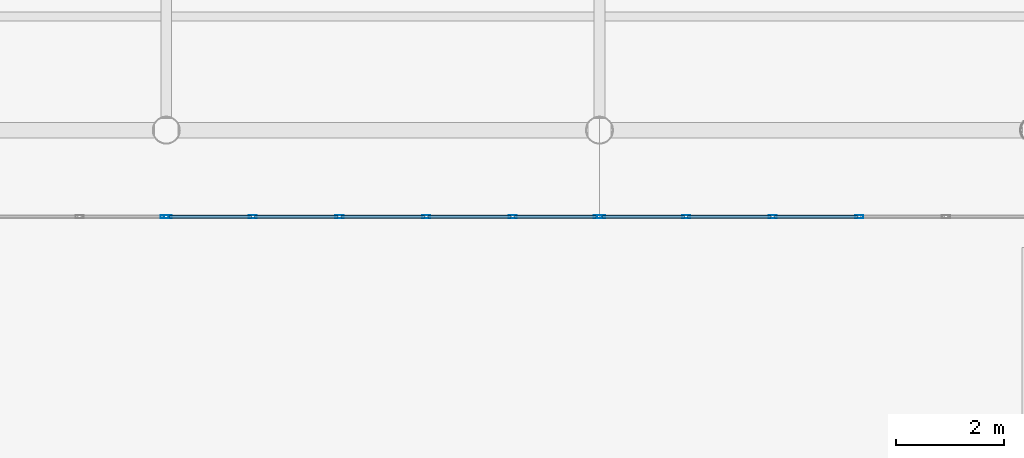
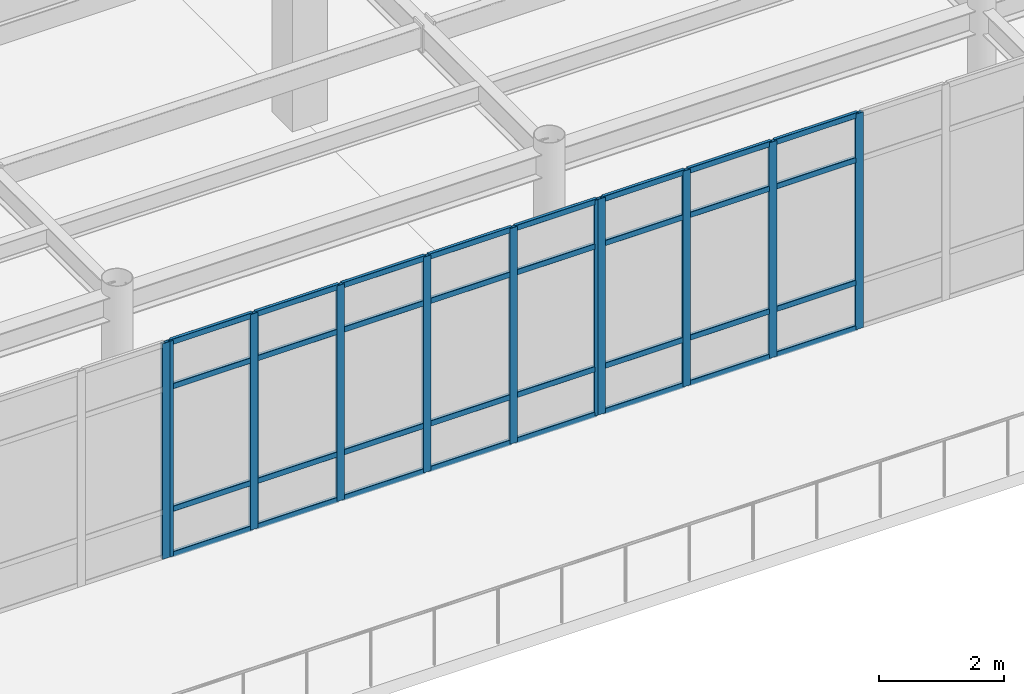
# One storey, part 41 of 93: 43 members, 3 elements without a shape of their own.
"""IFC4 building model written with IfcOpenShell, lengths in metres."""

from ifc_helpers import new_model, si_unit, direction, frame, origin, origin_2d, place, context, subcontext, project, spatial, hollow_rectangle, extrude, material, material_profile, profile_set, type_object, element, aggregate, save


model = new_model("IFC4")

# Units and contexts
model_context = context("Model", 3, precision=1e-05, world=origin(), true_north=direction((0.0, 1.0)))
body_context = subcontext(model_context, "Body", "Model", "MODEL_VIEW")
ifc_project = project(units=[si_unit("LENGTHUNIT", "METRE"), si_unit("AREAUNIT", "SQUARE_METRE"), si_unit("VOLUMEUNIT", "CUBIC_METRE"), si_unit("PLANEANGLEUNIT", "RADIAN"), si_unit("MASSUNIT", "GRAM", prefix="KILO")], contexts=[model_context])

# Site, building, storey
site_placement = place(None, origin())
site = spatial("IfcSite", under=ifc_project, at=site_placement, CompositionType="ELEMENT")
building_placement = place(site_placement, origin())
building = spatial("IfcBuilding", under=site, at=building_placement, Name="Solmirada Galleria", CompositionType="ELEMENT")
storey_placement = place(building_placement, frame((0.0, 0.0, 14.89990234375)))
storey = spatial("IfcBuildingStorey", under=building, at=storey_placement, Name="L03", CompositionType="ELEMENT", Elevation=14.89990234375)

# Curtain wall, members
ifc_material_1 = material(Name="Impact-resistant low-E double glazing", Category="glass")
curtain_wall_type = type_object("IfcCurtainWallType", Name="CW-FZ4-L03-B5-L080", PredefinedType="NOTDEFINED", material=ifc_material_1)
curtain_wall_1_placement = place(storey_placement, origin())
curtain_wall_1 = element("IfcCurtainWall", 1, at=curtain_wall_1_placement, inside=storey, type_object=curtain_wall_type, Name="Terrace and arcade storefront CW-L03-123", PredefinedType="NOTDEFINED")
ifc_material_2 = material(Name="Anodised aluminium framing", Category="aluminium")
ifc_material_profile_1 = material_profile(ifc_material_2, hollow_rectangle(XDim=0.06005859375, YDim=0.14990234375, WallThickness=0.00341796875, InnerFilletRadius=0.00341796875, OuterFilletRadius=0.007080078125, at=origin_2d()), Name="ALU-MULL-150X60")
ifc_profile_set_1 = profile_set([ifc_material_profile_1], Name="Anodised aluminium framing")
member_type_1 = type_object("IfcMemberType", Name="CW-MULL-150", PredefinedType="MULLION", material=ifc_profile_set_1)
member_1_placement = place(storey_placement, frame((84.800048828125, 86.39990234375, 0.0), z_axis=(0.0, 0.0, 1.0), x_axis=(0.0, -1.0, 0.0)))
member_1 = element("IfcMember", 2, at=member_1_placement, type_object=member_type_1, Name="CW28 mullion 3", PredefinedType="MULLION", context=body_context, shape_type="SweptSolid", body=[
    extrude(hollow_rectangle(XDim=0.06005859375, YDim=0.14990234375, WallThickness=0.00341796875, InnerFilletRadius=0.00341796875, OuterFilletRadius=0.007080078125, at=origin_2d()), origin(), (0.0, 0.0, 1.0), 4.22021484375),
])
member_2_placement = place(storey_placement, frame((83.199951171875, 86.39990234375, 0.0), z_axis=(0.0, 0.0, 1.0), x_axis=(0.0, -1.0, 0.0)))
member_2 = element("IfcMember", 3, at=member_2_placement, type_object=member_type_1, Name="CW28 mullion 4", PredefinedType="MULLION", context=body_context, shape_type="SweptSolid", body=[
    extrude(hollow_rectangle(XDim=0.06005859375, YDim=0.14990234375, WallThickness=0.00341796875, InnerFilletRadius=0.00341796875, OuterFilletRadius=0.007080078125, at=origin_2d()), origin(), (0.0, 0.0, 1.0), 4.22021484375),
])
member_3_placement = place(storey_placement, frame((81.60009765625, 86.39990234375, 0.0), z_axis=(0.0, 0.0, 1.0), x_axis=(0.0, -1.0, 0.0)))
member_3 = element("IfcMember", 4, at=member_3_placement, type_object=member_type_1, Name="CW28 mullion 5", PredefinedType="MULLION", context=body_context, shape_type="SweptSolid", body=[
    extrude(hollow_rectangle(XDim=0.06005859375, YDim=0.14990234375, WallThickness=0.00341796875, InnerFilletRadius=0.00341796875, OuterFilletRadius=0.007080078125, at=origin_2d()), origin(), (0.0, 0.0, 1.0), 4.22021484375),
])
member_4_placement = place(storey_placement, frame((80.030029296875, 86.39990234375, 0.0), z_axis=(0.0, 0.0, 1.0), x_axis=(0.0, -1.0, 0.0)))
member_4 = element("IfcMember", 5, at=member_4_placement, type_object=member_type_1, Name="CW28 mullion 6", PredefinedType="MULLION", context=body_context, shape_type="SweptSolid", body=[
    extrude(hollow_rectangle(XDim=0.06005859375, YDim=0.14990234375, WallThickness=0.00341796875, InnerFilletRadius=0.00341796875, OuterFilletRadius=0.007080078125, at=origin_2d()), origin(), (0.0, 0.0, 1.0), 4.22021484375),
])

curtain_wall_2_placement = place(storey_placement, origin())
curtain_wall_2 = element("IfcCurtainWall", 6, at=curtain_wall_2_placement, inside=storey, type_object=curtain_wall_type, Name="Terrace and arcade storefront CW-L03-124", PredefinedType="NOTDEFINED")
member_5_placement = place(storey_placement, frame((79.969970703125, 86.39990234375, 0.0), z_axis=(0.0, 0.0, 1.0), x_axis=(0.0, -1.0, 0.0)))
member_5 = element("IfcMember", 7, at=member_5_placement, type_object=member_type_1, Name="CW28 mullion 1", PredefinedType="MULLION", context=body_context, shape_type="SweptSolid", body=[
    extrude(hollow_rectangle(XDim=0.06005859375, YDim=0.14990234375, WallThickness=0.00341796875, InnerFilletRadius=0.00341796875, OuterFilletRadius=0.007080078125, at=origin_2d()), origin(), (0.0, 0.0, 1.0), 4.22021484375),
])
member_6_placement = place(storey_placement, frame((78.39990234375, 86.39990234375, 0.0), z_axis=(0.0, 0.0, 1.0), x_axis=(0.0, -1.0, 0.0)))
member_6 = element("IfcMember", 8, at=member_6_placement, type_object=member_type_1, Name="CW28 mullion 2", PredefinedType="MULLION", context=body_context, shape_type="SweptSolid", body=[
    extrude(hollow_rectangle(XDim=0.06005859375, YDim=0.14990234375, WallThickness=0.00341796875, InnerFilletRadius=0.00341796875, OuterFilletRadius=0.007080078125, at=origin_2d()), origin(), (0.0, 0.0, 1.0), 4.22021484375),
])
member_7_placement = place(storey_placement, frame((76.800048828125, 86.39990234375, 0.0), z_axis=(0.0, 0.0, 1.0), x_axis=(0.0, -1.0, 0.0)))
member_7 = element("IfcMember", 9, at=member_7_placement, type_object=member_type_1, Name="CW28 mullion 3", PredefinedType="MULLION", context=body_context, shape_type="SweptSolid", body=[
    extrude(hollow_rectangle(XDim=0.06005859375, YDim=0.14990234375, WallThickness=0.00341796875, InnerFilletRadius=0.00341796875, OuterFilletRadius=0.007080078125, at=origin_2d()), origin(), (0.0, 0.0, 1.0), 4.22021484375),
])
member_8_placement = place(storey_placement, frame((75.199951171875, 86.39990234375, 0.0), z_axis=(0.0, 0.0, 1.0), x_axis=(0.0, -1.0, 0.0)))
member_8 = element("IfcMember", 10, at=member_8_placement, type_object=member_type_1, Name="CW28 mullion 4", PredefinedType="MULLION", context=body_context, shape_type="SweptSolid", body=[
    extrude(hollow_rectangle(XDim=0.06005859375, YDim=0.14990234375, WallThickness=0.00341796875, InnerFilletRadius=0.00341796875, OuterFilletRadius=0.007080078125, at=origin_2d()), origin(), (0.0, 0.0, 1.0), 4.22021484375),
])
member_9_placement = place(storey_placement, frame((73.60009765625, 86.39990234375, 0.0), z_axis=(0.0, 0.0, 1.0), x_axis=(0.0, -1.0, 0.0)))
member_9 = element("IfcMember", 11, at=member_9_placement, type_object=member_type_1, Name="CW28 mullion 5", PredefinedType="MULLION", context=body_context, shape_type="SweptSolid", body=[
    extrude(hollow_rectangle(XDim=0.06005859375, YDim=0.14990234375, WallThickness=0.00341796875, InnerFilletRadius=0.00341796875, OuterFilletRadius=0.007080078125, at=origin_2d()), origin(), (0.0, 0.0, 1.0), 4.22021484375),
])
member_10_placement = place(storey_placement, frame((72.030029296875, 86.39990234375, 0.0), z_axis=(0.0, 0.0, 1.0), x_axis=(0.0, -1.0, 0.0)))
member_10 = element("IfcMember", 12, at=member_10_placement, type_object=member_type_1, Name="CW28 mullion 6", PredefinedType="MULLION", context=body_context, shape_type="SweptSolid", body=[
    extrude(hollow_rectangle(XDim=0.06005859375, YDim=0.14990234375, WallThickness=0.00341796875, InnerFilletRadius=0.00341796875, OuterFilletRadius=0.007080078125, at=origin_2d()), origin(), (0.0, 0.0, 1.0), 4.22021484375),
])

# Curtain wall, member
curtain_wall_3_placement = place(storey_placement, origin())
curtain_wall_3 = element("IfcCurtainWall", 13, at=curtain_wall_3_placement, inside=storey, type_object=curtain_wall_type, Name="Terrace and arcade storefront CW-L03-125", PredefinedType="NOTDEFINED")
member_11_placement = place(storey_placement, frame((71.969970703125, 86.39990234375, 0.0), z_axis=(0.0, 0.0, 1.0), x_axis=(0.0, -1.0, 0.0)))
member_11 = element("IfcMember", 14, at=member_11_placement, type_object=member_type_1, Name="CW28 mullion 1", PredefinedType="MULLION", context=body_context, shape_type="SweptSolid", body=[
    extrude(hollow_rectangle(XDim=0.06005859375, YDim=0.14990234375, WallThickness=0.00341796875, InnerFilletRadius=0.00341796875, OuterFilletRadius=0.007080078125, at=origin_2d()), origin(), (0.0, 0.0, 1.0), 4.22021484375),
])
aggregate(curtain_wall_3, [member_11])

# Member
ifc_material_profile_2 = material_profile(ifc_material_2, hollow_rectangle(XDim=0.06005859375, YDim=0.110107421875, WallThickness=0.003173828125, InnerFilletRadius=0.003173828125, OuterFilletRadius=0.00634765625, at=origin_2d()), Name="ALU-TRAN-110X60")
ifc_profile_set_2 = profile_set([ifc_material_profile_2], Name="Anodised aluminium framing")
member_type_2 = type_object("IfcMemberType", Name="CW-TRAN-110", PredefinedType="USERDEFINED", material=ifc_profile_set_2)
member_12_placement = place(storey_placement, frame((84.77001953125, 86.39990234375, 0.030029296875), z_axis=(-1.0, 0.0, 0.0), x_axis=(0.0, -1.0, 0.0)))
member_12 = element("IfcMember", 15, at=member_12_placement, type_object=member_type_2, Name="CW28 transom 3.1", ObjectType="TRANSOM", PredefinedType="USERDEFINED", context=body_context, shape_type="SweptSolid", body=[
    extrude(hollow_rectangle(XDim=0.06005859375, YDim=0.110107421875, WallThickness=0.003173828125, InnerFilletRadius=0.003173828125, OuterFilletRadius=0.00634765625, at=origin_2d()), origin(), (0.0, 0.0, 1.0), 1.5400390625),
])

member_13_placement = place(storey_placement, frame((84.77001953125, 86.39990234375, 0.920166015625), z_axis=(-1.0, 0.0, 0.0), x_axis=(0.0, -1.0, 0.0)))
member_13 = element("IfcMember", 16, at=member_13_placement, type_object=member_type_2, Name="CW28 transom 3.2", ObjectType="TRANSOM", PredefinedType="USERDEFINED", context=body_context, shape_type="SweptSolid", body=[
    extrude(hollow_rectangle(XDim=0.06005859375, YDim=0.110107421875, WallThickness=0.003173828125, InnerFilletRadius=0.003173828125, OuterFilletRadius=0.00634765625, at=origin_2d()), origin(), (0.0, 0.0, 1.0), 1.5400390625),
])

member_14_placement = place(storey_placement, frame((84.77001953125, 86.39990234375, 3.320068359375), z_axis=(-1.0, 0.0, 0.0), x_axis=(0.0, -1.0, 0.0)))
member_14 = element("IfcMember", 17, at=member_14_placement, type_object=member_type_2, Name="CW28 transom 3.3", ObjectType="TRANSOM", PredefinedType="USERDEFINED", context=body_context, shape_type="SweptSolid", body=[
    extrude(hollow_rectangle(XDim=0.06005859375, YDim=0.110107421875, WallThickness=0.003173828125, InnerFilletRadius=0.003173828125, OuterFilletRadius=0.00634765625, at=origin_2d()), origin(), (0.0, 0.0, 1.0), 1.5400390625),
])

member_15_placement = place(storey_placement, frame((84.77001953125, 86.39990234375, 4.190185546875), z_axis=(-1.0, 0.0, 0.0), x_axis=(0.0, -1.0, 0.0)))
member_15 = element("IfcMember", 18, at=member_15_placement, type_object=member_type_2, Name="CW28 transom 3.4", ObjectType="TRANSOM", PredefinedType="USERDEFINED", context=body_context, shape_type="SweptSolid", body=[
    extrude(hollow_rectangle(XDim=0.06005859375, YDim=0.110107421875, WallThickness=0.003173828125, InnerFilletRadius=0.003173828125, OuterFilletRadius=0.00634765625, at=origin_2d()), origin(), (0.0, 0.0, 1.0), 1.5400390625),
])

member_16_placement = place(storey_placement, frame((83.169921875, 86.39990234375, 0.030029296875), z_axis=(-1.0, 0.0, 0.0), x_axis=(0.0, -1.0, 0.0)))
member_16 = element("IfcMember", 19, at=member_16_placement, type_object=member_type_2, Name="CW28 transom 4.1", ObjectType="TRANSOM", PredefinedType="USERDEFINED", context=body_context, shape_type="SweptSolid", body=[
    extrude(hollow_rectangle(XDim=0.06005859375, YDim=0.110107421875, WallThickness=0.003173828125, InnerFilletRadius=0.003173828125, OuterFilletRadius=0.00634765625, at=origin_2d()), origin(), (0.0, 0.0, 1.0), 1.5400390625),
])

member_17_placement = place(storey_placement, frame((83.169921875, 86.39990234375, 0.920166015625), z_axis=(-1.0, 0.0, 0.0), x_axis=(0.0, -1.0, 0.0)))
member_17 = element("IfcMember", 20, at=member_17_placement, type_object=member_type_2, Name="CW28 transom 4.2", ObjectType="TRANSOM", PredefinedType="USERDEFINED", context=body_context, shape_type="SweptSolid", body=[
    extrude(hollow_rectangle(XDim=0.06005859375, YDim=0.110107421875, WallThickness=0.003173828125, InnerFilletRadius=0.003173828125, OuterFilletRadius=0.00634765625, at=origin_2d()), origin(), (0.0, 0.0, 1.0), 1.5400390625),
])

member_18_placement = place(storey_placement, frame((83.169921875, 86.39990234375, 3.320068359375), z_axis=(-1.0, 0.0, 0.0), x_axis=(0.0, -1.0, 0.0)))
member_18 = element("IfcMember", 21, at=member_18_placement, type_object=member_type_2, Name="CW28 transom 4.3", ObjectType="TRANSOM", PredefinedType="USERDEFINED", context=body_context, shape_type="SweptSolid", body=[
    extrude(hollow_rectangle(XDim=0.06005859375, YDim=0.110107421875, WallThickness=0.003173828125, InnerFilletRadius=0.003173828125, OuterFilletRadius=0.00634765625, at=origin_2d()), origin(), (0.0, 0.0, 1.0), 1.5400390625),
])

member_19_placement = place(storey_placement, frame((83.169921875, 86.39990234375, 4.190185546875), z_axis=(-1.0, 0.0, 0.0), x_axis=(0.0, -1.0, 0.0)))
member_19 = element("IfcMember", 22, at=member_19_placement, type_object=member_type_2, Name="CW28 transom 4.4", ObjectType="TRANSOM", PredefinedType="USERDEFINED", context=body_context, shape_type="SweptSolid", body=[
    extrude(hollow_rectangle(XDim=0.06005859375, YDim=0.110107421875, WallThickness=0.003173828125, InnerFilletRadius=0.003173828125, OuterFilletRadius=0.00634765625, at=origin_2d()), origin(), (0.0, 0.0, 1.0), 1.5400390625),
])

member_20_placement = place(storey_placement, frame((81.570068359375, 86.39990234375, 0.030029296875), z_axis=(-1.0, 0.0, 0.0), x_axis=(0.0, -1.0, 0.0)))
member_20 = element("IfcMember", 23, at=member_20_placement, type_object=member_type_2, Name="CW28 transom 5.1", ObjectType="TRANSOM", PredefinedType="USERDEFINED", context=body_context, shape_type="SweptSolid", body=[
    extrude(hollow_rectangle(XDim=0.06005859375, YDim=0.110107421875, WallThickness=0.003173828125, InnerFilletRadius=0.003173828125, OuterFilletRadius=0.00634765625, at=origin_2d()), origin(), (0.0, 0.0, 1.0), 1.510009765625),
])

member_21_placement = place(storey_placement, frame((81.570068359375, 86.39990234375, 0.920166015625), z_axis=(-1.0, 0.0, 0.0), x_axis=(0.0, -1.0, 0.0)))
member_21 = element("IfcMember", 24, at=member_21_placement, type_object=member_type_2, Name="CW28 transom 5.2", ObjectType="TRANSOM", PredefinedType="USERDEFINED", context=body_context, shape_type="SweptSolid", body=[
    extrude(hollow_rectangle(XDim=0.06005859375, YDim=0.110107421875, WallThickness=0.003173828125, InnerFilletRadius=0.003173828125, OuterFilletRadius=0.00634765625, at=origin_2d()), origin(), (0.0, 0.0, 1.0), 1.510009765625),
])

member_22_placement = place(storey_placement, frame((81.570068359375, 86.39990234375, 3.320068359375), z_axis=(-1.0, 0.0, 0.0), x_axis=(0.0, -1.0, 0.0)))
member_22 = element("IfcMember", 25, at=member_22_placement, type_object=member_type_2, Name="CW28 transom 5.3", ObjectType="TRANSOM", PredefinedType="USERDEFINED", context=body_context, shape_type="SweptSolid", body=[
    extrude(hollow_rectangle(XDim=0.06005859375, YDim=0.110107421875, WallThickness=0.003173828125, InnerFilletRadius=0.003173828125, OuterFilletRadius=0.00634765625, at=origin_2d()), origin(), (0.0, 0.0, 1.0), 1.510009765625),
])

member_23_placement = place(storey_placement, frame((81.570068359375, 86.39990234375, 4.190185546875), z_axis=(-1.0, 0.0, 0.0), x_axis=(0.0, -1.0, 0.0)))
member_23 = element("IfcMember", 26, at=member_23_placement, type_object=member_type_2, Name="CW28 transom 5.4", ObjectType="TRANSOM", PredefinedType="USERDEFINED", context=body_context, shape_type="SweptSolid", body=[
    extrude(hollow_rectangle(XDim=0.06005859375, YDim=0.110107421875, WallThickness=0.003173828125, InnerFilletRadius=0.003173828125, OuterFilletRadius=0.00634765625, at=origin_2d()), origin(), (0.0, 0.0, 1.0), 1.510009765625),
])

aggregate(curtain_wall_1, [member_1, member_2, member_3, member_4, member_12, member_13, member_14, member_15, member_16, member_17, member_18, member_19, member_20, member_21, member_22, member_23])

member_24_placement = place(storey_placement, frame((79.93994140625, 86.39990234375, 0.030029296875), z_axis=(-1.0, 0.0, 0.0), x_axis=(0.0, -1.0, 0.0)))
member_24 = element("IfcMember", 27, at=member_24_placement, type_object=member_type_2, Name="CW28 transom 1.1", ObjectType="TRANSOM", PredefinedType="USERDEFINED", context=body_context, shape_type="SweptSolid", body=[
    extrude(hollow_rectangle(XDim=0.06005859375, YDim=0.110107421875, WallThickness=0.003173828125, InnerFilletRadius=0.003173828125, OuterFilletRadius=0.00634765625, at=origin_2d()), origin(), (0.0, 0.0, 1.0), 1.510009765625),
])

member_25_placement = place(storey_placement, frame((79.93994140625, 86.39990234375, 0.920166015625), z_axis=(-1.0, 0.0, 0.0), x_axis=(0.0, -1.0, 0.0)))
member_25 = element("IfcMember", 28, at=member_25_placement, type_object=member_type_2, Name="CW28 transom 1.2", ObjectType="TRANSOM", PredefinedType="USERDEFINED", context=body_context, shape_type="SweptSolid", body=[
    extrude(hollow_rectangle(XDim=0.06005859375, YDim=0.110107421875, WallThickness=0.003173828125, InnerFilletRadius=0.003173828125, OuterFilletRadius=0.00634765625, at=origin_2d()), origin(), (0.0, 0.0, 1.0), 1.510009765625),
])

member_26_placement = place(storey_placement, frame((79.93994140625, 86.39990234375, 3.320068359375), z_axis=(-1.0, 0.0, 0.0), x_axis=(0.0, -1.0, 0.0)))
member_26 = element("IfcMember", 29, at=member_26_placement, type_object=member_type_2, Name="CW28 transom 1.3", ObjectType="TRANSOM", PredefinedType="USERDEFINED", context=body_context, shape_type="SweptSolid", body=[
    extrude(hollow_rectangle(XDim=0.06005859375, YDim=0.110107421875, WallThickness=0.003173828125, InnerFilletRadius=0.003173828125, OuterFilletRadius=0.00634765625, at=origin_2d()), origin(), (0.0, 0.0, 1.0), 1.510009765625),
])

member_27_placement = place(storey_placement, frame((79.93994140625, 86.39990234375, 4.190185546875), z_axis=(-1.0, 0.0, 0.0), x_axis=(0.0, -1.0, 0.0)))
member_27 = element("IfcMember", 30, at=member_27_placement, type_object=member_type_2, Name="CW28 transom 1.4", ObjectType="TRANSOM", PredefinedType="USERDEFINED", context=body_context, shape_type="SweptSolid", body=[
    extrude(hollow_rectangle(XDim=0.06005859375, YDim=0.110107421875, WallThickness=0.003173828125, InnerFilletRadius=0.003173828125, OuterFilletRadius=0.00634765625, at=origin_2d()), origin(), (0.0, 0.0, 1.0), 1.510009765625),
])

member_28_placement = place(storey_placement, frame((78.3701171875, 86.39990234375, 0.030029296875), z_axis=(-1.0, 0.0, 0.0), x_axis=(0.0, -1.0, 0.0)))
member_28 = element("IfcMember", 31, at=member_28_placement, type_object=member_type_2, Name="CW28 transom 2.1", ObjectType="TRANSOM", PredefinedType="USERDEFINED", context=body_context, shape_type="SweptSolid", body=[
    extrude(hollow_rectangle(XDim=0.06005859375, YDim=0.110107421875, WallThickness=0.003173828125, InnerFilletRadius=0.003173828125, OuterFilletRadius=0.00634765625, at=origin_2d()), origin(), (0.0, 0.0, 1.0), 1.5400390625),
])

member_29_placement = place(storey_placement, frame((78.3701171875, 86.39990234375, 0.920166015625), z_axis=(-1.0, 0.0, 0.0), x_axis=(0.0, -1.0, 0.0)))
member_29 = element("IfcMember", 32, at=member_29_placement, type_object=member_type_2, Name="CW28 transom 2.2", ObjectType="TRANSOM", PredefinedType="USERDEFINED", context=body_context, shape_type="SweptSolid", body=[
    extrude(hollow_rectangle(XDim=0.06005859375, YDim=0.110107421875, WallThickness=0.003173828125, InnerFilletRadius=0.003173828125, OuterFilletRadius=0.00634765625, at=origin_2d()), origin(), (0.0, 0.0, 1.0), 1.5400390625),
])

member_30_placement = place(storey_placement, frame((78.3701171875, 86.39990234375, 3.320068359375), z_axis=(-1.0, 0.0, 0.0), x_axis=(0.0, -1.0, 0.0)))
member_30 = element("IfcMember", 33, at=member_30_placement, type_object=member_type_2, Name="CW28 transom 2.3", ObjectType="TRANSOM", PredefinedType="USERDEFINED", context=body_context, shape_type="SweptSolid", body=[
    extrude(hollow_rectangle(XDim=0.06005859375, YDim=0.110107421875, WallThickness=0.003173828125, InnerFilletRadius=0.003173828125, OuterFilletRadius=0.00634765625, at=origin_2d()), origin(), (0.0, 0.0, 1.0), 1.5400390625),
])

member_31_placement = place(storey_placement, frame((78.3701171875, 86.39990234375, 4.190185546875), z_axis=(-1.0, 0.0, 0.0), x_axis=(0.0, -1.0, 0.0)))
member_31 = element("IfcMember", 34, at=member_31_placement, type_object=member_type_2, Name="CW28 transom 2.4", ObjectType="TRANSOM", PredefinedType="USERDEFINED", context=body_context, shape_type="SweptSolid", body=[
    extrude(hollow_rectangle(XDim=0.06005859375, YDim=0.110107421875, WallThickness=0.003173828125, InnerFilletRadius=0.003173828125, OuterFilletRadius=0.00634765625, at=origin_2d()), origin(), (0.0, 0.0, 1.0), 1.5400390625),
])

member_32_placement = place(storey_placement, frame((76.77001953125, 86.39990234375, 0.030029296875), z_axis=(-1.0, 0.0, 0.0), x_axis=(0.0, -1.0, 0.0)))
member_32 = element("IfcMember", 35, at=member_32_placement, type_object=member_type_2, Name="CW28 transom 3.1", ObjectType="TRANSOM", PredefinedType="USERDEFINED", context=body_context, shape_type="SweptSolid", body=[
    extrude(hollow_rectangle(XDim=0.06005859375, YDim=0.110107421875, WallThickness=0.003173828125, InnerFilletRadius=0.003173828125, OuterFilletRadius=0.00634765625, at=origin_2d()), origin(), (0.0, 0.0, 1.0), 1.5400390625),
])

member_33_placement = place(storey_placement, frame((76.77001953125, 86.39990234375, 0.920166015625), z_axis=(-1.0, 0.0, 0.0), x_axis=(0.0, -1.0, 0.0)))
member_33 = element("IfcMember", 36, at=member_33_placement, type_object=member_type_2, Name="CW28 transom 3.2", ObjectType="TRANSOM", PredefinedType="USERDEFINED", context=body_context, shape_type="SweptSolid", body=[
    extrude(hollow_rectangle(XDim=0.06005859375, YDim=0.110107421875, WallThickness=0.003173828125, InnerFilletRadius=0.003173828125, OuterFilletRadius=0.00634765625, at=origin_2d()), origin(), (0.0, 0.0, 1.0), 1.5400390625),
])

member_34_placement = place(storey_placement, frame((76.77001953125, 86.39990234375, 3.320068359375), z_axis=(-1.0, 0.0, 0.0), x_axis=(0.0, -1.0, 0.0)))
member_34 = element("IfcMember", 37, at=member_34_placement, type_object=member_type_2, Name="CW28 transom 3.3", ObjectType="TRANSOM", PredefinedType="USERDEFINED", context=body_context, shape_type="SweptSolid", body=[
    extrude(hollow_rectangle(XDim=0.06005859375, YDim=0.110107421875, WallThickness=0.003173828125, InnerFilletRadius=0.003173828125, OuterFilletRadius=0.00634765625, at=origin_2d()), origin(), (0.0, 0.0, 1.0), 1.5400390625),
])

member_35_placement = place(storey_placement, frame((76.77001953125, 86.39990234375, 4.190185546875), z_axis=(-1.0, 0.0, 0.0), x_axis=(0.0, -1.0, 0.0)))
member_35 = element("IfcMember", 38, at=member_35_placement, type_object=member_type_2, Name="CW28 transom 3.4", ObjectType="TRANSOM", PredefinedType="USERDEFINED", context=body_context, shape_type="SweptSolid", body=[
    extrude(hollow_rectangle(XDim=0.06005859375, YDim=0.110107421875, WallThickness=0.003173828125, InnerFilletRadius=0.003173828125, OuterFilletRadius=0.00634765625, at=origin_2d()), origin(), (0.0, 0.0, 1.0), 1.5400390625),
])

member_36_placement = place(storey_placement, frame((75.169921875, 86.39990234375, 0.030029296875), z_axis=(-1.0, 0.0, 0.0), x_axis=(0.0, -1.0, 0.0)))
member_36 = element("IfcMember", 39, at=member_36_placement, type_object=member_type_2, Name="CW28 transom 4.1", ObjectType="TRANSOM", PredefinedType="USERDEFINED", context=body_context, shape_type="SweptSolid", body=[
    extrude(hollow_rectangle(XDim=0.06005859375, YDim=0.110107421875, WallThickness=0.003173828125, InnerFilletRadius=0.003173828125, OuterFilletRadius=0.00634765625, at=origin_2d()), origin(), (0.0, 0.0, 1.0), 1.5400390625),
])

member_37_placement = place(storey_placement, frame((75.169921875, 86.39990234375, 0.920166015625), z_axis=(-1.0, 0.0, 0.0), x_axis=(0.0, -1.0, 0.0)))
member_37 = element("IfcMember", 40, at=member_37_placement, type_object=member_type_2, Name="CW28 transom 4.2", ObjectType="TRANSOM", PredefinedType="USERDEFINED", context=body_context, shape_type="SweptSolid", body=[
    extrude(hollow_rectangle(XDim=0.06005859375, YDim=0.110107421875, WallThickness=0.003173828125, InnerFilletRadius=0.003173828125, OuterFilletRadius=0.00634765625, at=origin_2d()), origin(), (0.0, 0.0, 1.0), 1.5400390625),
])

member_38_placement = place(storey_placement, frame((75.169921875, 86.39990234375, 3.320068359375), z_axis=(-1.0, 0.0, 0.0), x_axis=(0.0, -1.0, 0.0)))
member_38 = element("IfcMember", 41, at=member_38_placement, type_object=member_type_2, Name="CW28 transom 4.3", ObjectType="TRANSOM", PredefinedType="USERDEFINED", context=body_context, shape_type="SweptSolid", body=[
    extrude(hollow_rectangle(XDim=0.06005859375, YDim=0.110107421875, WallThickness=0.003173828125, InnerFilletRadius=0.003173828125, OuterFilletRadius=0.00634765625, at=origin_2d()), origin(), (0.0, 0.0, 1.0), 1.5400390625),
])

member_39_placement = place(storey_placement, frame((75.169921875, 86.39990234375, 4.190185546875), z_axis=(-1.0, 0.0, 0.0), x_axis=(0.0, -1.0, 0.0)))
member_39 = element("IfcMember", 42, at=member_39_placement, type_object=member_type_2, Name="CW28 transom 4.4", ObjectType="TRANSOM", PredefinedType="USERDEFINED", context=body_context, shape_type="SweptSolid", body=[
    extrude(hollow_rectangle(XDim=0.06005859375, YDim=0.110107421875, WallThickness=0.003173828125, InnerFilletRadius=0.003173828125, OuterFilletRadius=0.00634765625, at=origin_2d()), origin(), (0.0, 0.0, 1.0), 1.5400390625),
])

member_40_placement = place(storey_placement, frame((73.570068359375, 86.39990234375, 0.030029296875), z_axis=(-1.0, 0.0, 0.0), x_axis=(0.0, -1.0, 0.0)))
member_40 = element("IfcMember", 43, at=member_40_placement, type_object=member_type_2, Name="CW28 transom 5.1", ObjectType="TRANSOM", PredefinedType="USERDEFINED", context=body_context, shape_type="SweptSolid", body=[
    extrude(hollow_rectangle(XDim=0.06005859375, YDim=0.110107421875, WallThickness=0.003173828125, InnerFilletRadius=0.003173828125, OuterFilletRadius=0.00634765625, at=origin_2d()), origin(), (0.0, 0.0, 1.0), 1.510009765625),
])

member_41_placement = place(storey_placement, frame((73.570068359375, 86.39990234375, 0.920166015625), z_axis=(-1.0, 0.0, 0.0), x_axis=(0.0, -1.0, 0.0)))
member_41 = element("IfcMember", 44, at=member_41_placement, type_object=member_type_2, Name="CW28 transom 5.2", ObjectType="TRANSOM", PredefinedType="USERDEFINED", context=body_context, shape_type="SweptSolid", body=[
    extrude(hollow_rectangle(XDim=0.06005859375, YDim=0.110107421875, WallThickness=0.003173828125, InnerFilletRadius=0.003173828125, OuterFilletRadius=0.00634765625, at=origin_2d()), origin(), (0.0, 0.0, 1.0), 1.510009765625),
])

member_42_placement = place(storey_placement, frame((73.570068359375, 86.39990234375, 3.320068359375), z_axis=(-1.0, 0.0, 0.0), x_axis=(0.0, -1.0, 0.0)))
member_42 = element("IfcMember", 45, at=member_42_placement, type_object=member_type_2, Name="CW28 transom 5.3", ObjectType="TRANSOM", PredefinedType="USERDEFINED", context=body_context, shape_type="SweptSolid", body=[
    extrude(hollow_rectangle(XDim=0.06005859375, YDim=0.110107421875, WallThickness=0.003173828125, InnerFilletRadius=0.003173828125, OuterFilletRadius=0.00634765625, at=origin_2d()), origin(), (0.0, 0.0, 1.0), 1.510009765625),
])

member_43_placement = place(storey_placement, frame((73.570068359375, 86.39990234375, 4.190185546875), z_axis=(-1.0, 0.0, 0.0), x_axis=(0.0, -1.0, 0.0)))
member_43 = element("IfcMember", 46, at=member_43_placement, type_object=member_type_2, Name="CW28 transom 5.4", ObjectType="TRANSOM", PredefinedType="USERDEFINED", context=body_context, shape_type="SweptSolid", body=[
    extrude(hollow_rectangle(XDim=0.06005859375, YDim=0.110107421875, WallThickness=0.003173828125, InnerFilletRadius=0.003173828125, OuterFilletRadius=0.00634765625, at=origin_2d()), origin(), (0.0, 0.0, 1.0), 1.510009765625),
])

aggregate(curtain_wall_2, [member_5, member_6, member_7, member_8, member_9, member_10, member_24, member_25, member_26, member_27, member_28, member_29, member_30, member_31, member_32, member_33, member_34, member_35, member_36, member_37, member_38, member_39, member_40, member_41, member_42, member_43])

save(model, "model.ifc")
